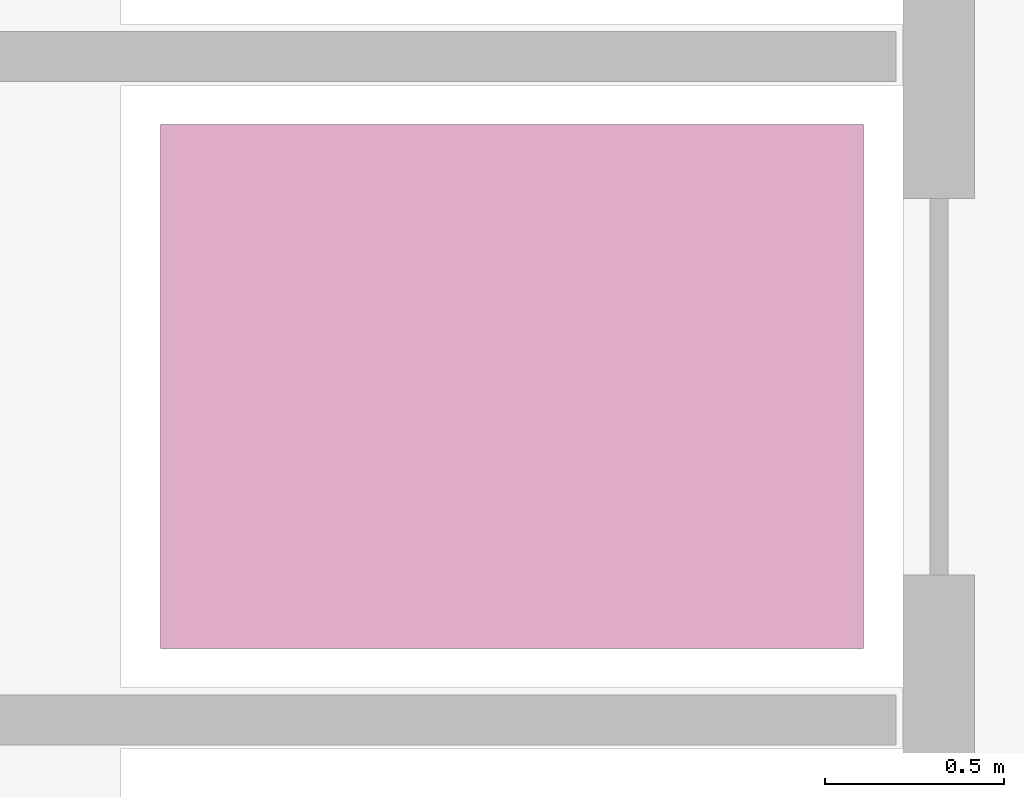
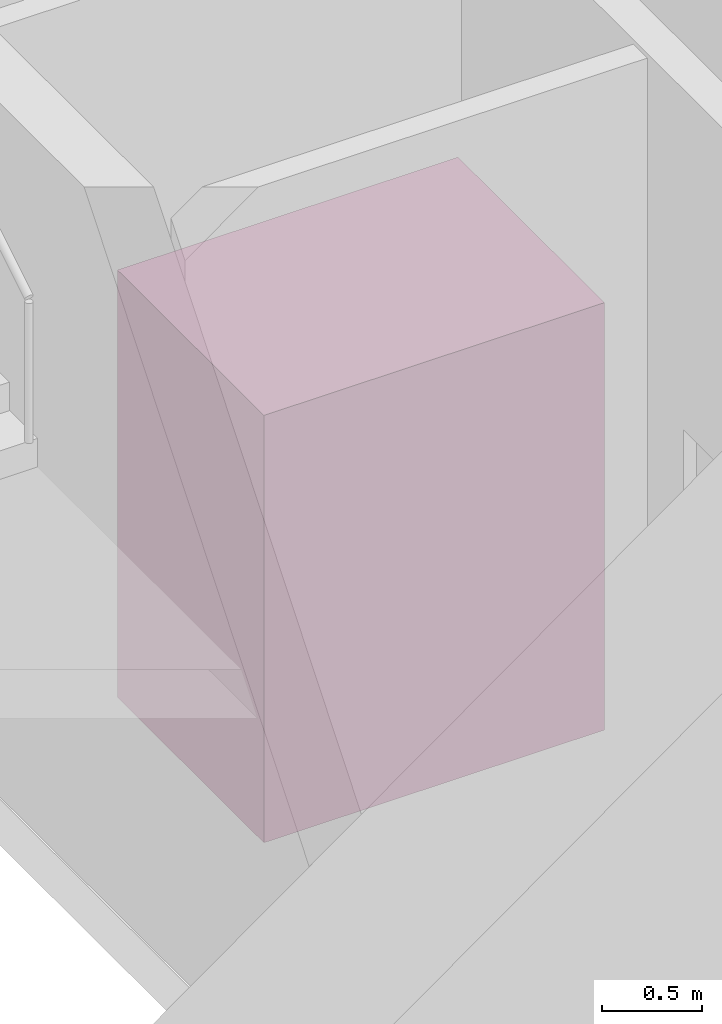
# One storey, part 21 of 21: 1 transport element.
"""IFC4 building model written with IfcOpenShell, lengths in metres."""

from ifc_helpers import new_model, si_unit, direction, frame, origin, origin_2d, place, context, subcontext, project, spatial, rectangle, extrude, material, type_object, element, save


model = new_model("IFC4")

# Units and contexts
model_context = context("Model", 3, precision=1e-05, world=origin(), true_north=direction((0.0, 1.0)))
body_context = subcontext(model_context, "Body", "Model", "MODEL_VIEW")
ifc_project = project(units=[si_unit("LENGTHUNIT", "METRE"), si_unit("AREAUNIT", "SQUARE_METRE"), si_unit("VOLUMEUNIT", "CUBIC_METRE"), si_unit("PLANEANGLEUNIT", "RADIAN"), si_unit("MASSUNIT", "GRAM", prefix="KILO")], contexts=[model_context])

# Site, building, storey
site_placement = place(None, origin())
site = spatial("IfcSite", under=ifc_project, at=site_placement, CompositionType="ELEMENT")
building_placement = place(site_placement, origin())
building = spatial("IfcBuilding", under=site, at=building_placement, Name="Oramaril Tower", CompositionType="ELEMENT")
storey_placement = place(building_placement, frame((0.0, 0.0, 5.39990234375)))
storey = spatial("IfcBuildingStorey", under=building, at=storey_placement, Name="L01", CompositionType="ELEMENT", Elevation=5.39990234375)

# Transport element
ifc_material = material(Name="Stainless Steel 316L", Category="steel")
transport_element_type = type_object("IfcTransportElementType", Name="LFT-PAX", PredefinedType="ELEVATOR", material=ifc_material)
transport_element_placement = place(storey_placement, frame((35.14990234375, 14.35009765625, 0.0), z_axis=(0.0, 0.0, 1.0), x_axis=(1.0, 0.0, 0.0)))
element("IfcTransportElement", 1, at=transport_element_placement, inside=storey, type_object=transport_element_type, Name="Elevator Car LP-L2", PredefinedType="ELEVATOR", context=body_context, shape_type="SweptSolid", body=[
    extrude(rectangle(XDim=1.9599609375, YDim=1.4599609375, at=origin_2d()), origin(), (0.0, 0.0, 1.0), 2.60009765625),
])

save(model, "model.ifc")
